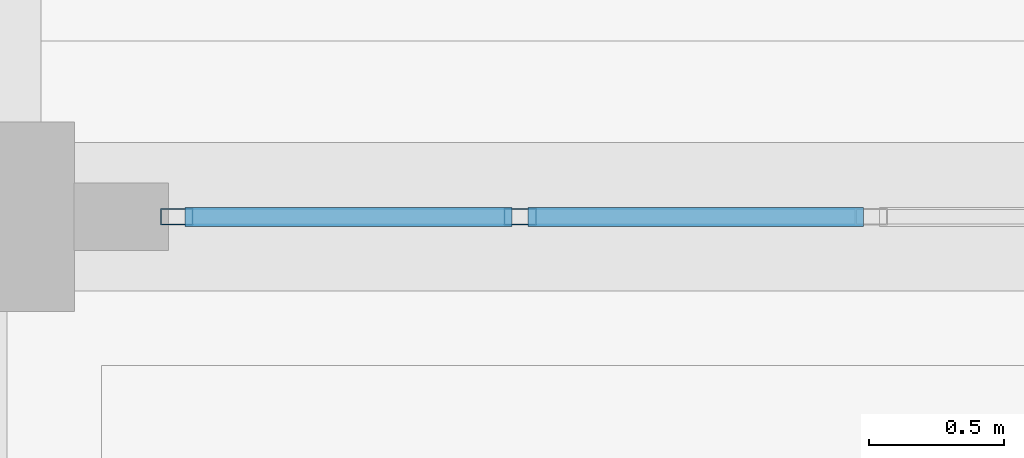
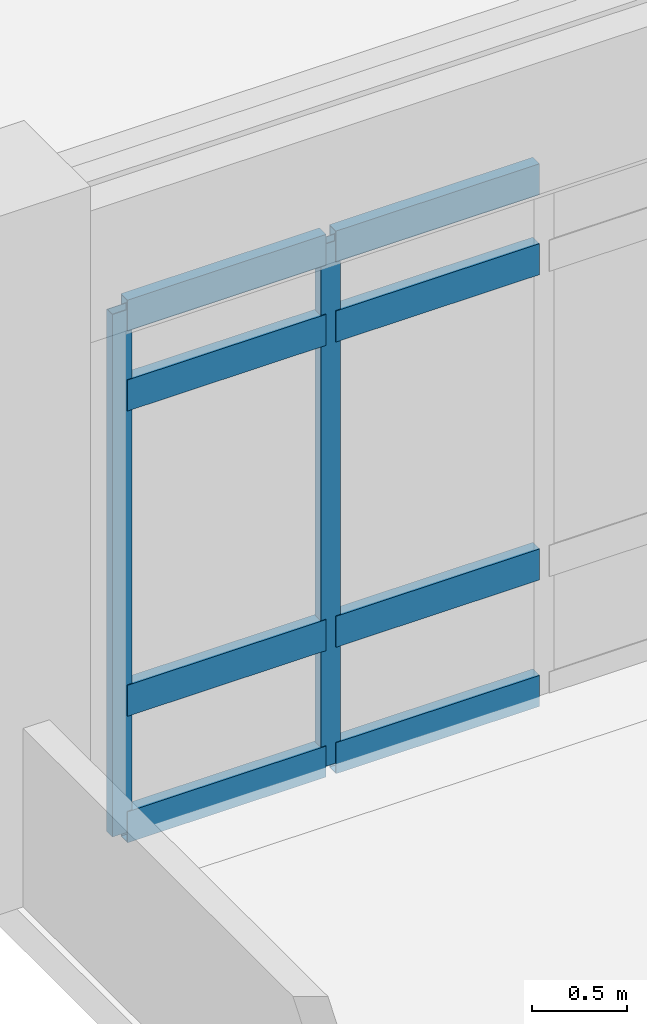
# One storey, part 52 of 109: 10 members, 1 element without a shape of its own.
"""IFC4 building model written with IfcOpenShell, lengths in metres."""

from ifc_helpers import new_model, si_unit, direction, frame, origin, origin_2d, place, context, subcontext, project, spatial, hollow_rectangle, extrude, material, layer, layer_set, material_profile, profile_set, type_object, element, aggregate, save


model = new_model("IFC4")

# Units and contexts
model_context = context("Model", 3, precision=1e-05, world=origin(), true_north=direction((0.0, 1.0)))
body_context = subcontext(model_context, "Body", "Model", "MODEL_VIEW")
ifc_project = project(units=[si_unit("LENGTHUNIT", "METRE"), si_unit("AREAUNIT", "SQUARE_METRE"), si_unit("VOLUMEUNIT", "CUBIC_METRE"), si_unit("PLANEANGLEUNIT", "RADIAN"), si_unit("MASSUNIT", "GRAM", prefix="KILO")], contexts=[model_context])

# Site, building, storey
site_placement = place(None, origin())
site = spatial("IfcSite", under=ifc_project, at=site_placement, CompositionType="ELEMENT")
building_placement = place(site_placement, origin())
building = spatial("IfcBuilding", under=site, at=building_placement, Name="Fikremerkos Civic Library", CompositionType="ELEMENT")
storey_placement = place(building_placement, frame((0.0, 0.0, 5.39990234375)))
storey = spatial("IfcBuildingStorey", under=building, at=storey_placement, Name="L01", CompositionType="ELEMENT", Elevation=5.39990234375)

# Curtain wall, members
ifc_material = material(Name="Anodized aluminium Frame", Category="aluminium")
ifc_layer = layer(ifc_material, 0.159912109375, Name="Anodized aluminium Frame")
ifc_layer_set = layer_set([ifc_layer], Name="Anodized aluminium Frame")
curtain_wall_type = type_object("IfcCurtainWallType", Name="Unitised curtain wall CW-08 4500x4100", PredefinedType="USERDEFINED", material=ifc_layer_set)
curtain_wall_placement = place(storey_placement, origin())
curtain_wall = element("IfcCurtainWall", 1, at=curtain_wall_placement, inside=storey, type_object=curtain_wall_type, Name="Unitised curtain wall CW-08 L01 #116", ObjectType="UNITISED CURTAIN WALL", PredefinedType="USERDEFINED")
ifc_material_profile_1 = material_profile(ifc_material, hollow_rectangle(XDim=0.06005859375, YDim=0.1201171875, WallThickness=0.00390625, at=origin_2d()), Name="ALU 120x60x4")
ifc_profile_set_1 = profile_set([ifc_material_profile_1], Name="Anodized aluminium Frame")
member_type_1 = type_object("IfcMemberType", Name="Curtain mullion CWM-04 ALU 120x60x4", PredefinedType="MULLION", material=ifc_profile_set_1)
member_1_placement = place(storey_placement, frame((126.898681640625, 96.0, 0.0), z_axis=(0.0, 0.0, 1.0), x_axis=(0.0, -1.0, 0.0)))
member_1 = element("IfcMember", 2, at=member_1_placement, type_object=member_type_1, Name="CW-08 mullion 3", PredefinedType="MULLION", context=body_context, shape_type="SweptSolid", body=[
    extrude(hollow_rectangle(XDim=0.06005859375, YDim=0.1201171875, WallThickness=0.00390625, at=origin_2d()), origin(), (0.0, 0.0, 1.0), 3.3671875),
])
member_2_placement = place(storey_placement, frame((125.6279296875, 96.0, 0.0), z_axis=(0.0, 0.0, 1.0), x_axis=(0.0, -1.0, 0.0)))
member_2 = element("IfcMember", 3, at=member_2_placement, type_object=member_type_1, Name="CW-08 mullion 4", PredefinedType="MULLION", context=body_context, shape_type="SweptSolid", body=[
    extrude(hollow_rectangle(XDim=0.06005859375, YDim=0.1201171875, WallThickness=0.00390625, at=origin_2d()), origin(), (0.0, 0.0, 1.0), 3.3671875),
])
ifc_material_profile_2 = material_profile(ifc_material, hollow_rectangle(XDim=0.070068359375, YDim=0.199951171875, WallThickness=0.0048828125, at=origin_2d()), Name="ALU 200x70x5")
ifc_profile_set_2 = profile_set([ifc_material_profile_2], Name="Anodized aluminium Frame")
member_type_2 = type_object("IfcMemberType", Name="Curtain transom CWT-04 ALU 200x70x5", PredefinedType="USERDEFINED", material=ifc_profile_set_2)
member_3_placement = place(storey_placement, frame((128.16943359375, 96.0, 0.03515625), z_axis=(-1.0, 0.0, 0.0), x_axis=(0.0, -1.0, 0.0)))
member_3 = element("IfcMember", 4, at=member_3_placement, type_object=member_type_2, Name="CW-08 transom 2.1", ObjectType="TRANSOM", PredefinedType="USERDEFINED", context=body_context, shape_type="SweptSolid", body=[
    extrude(hollow_rectangle(XDim=0.070068359375, YDim=0.199951171875, WallThickness=0.0048828125, at=origin_2d()), origin(), (0.0, 0.0, 1.0), 1.24072265625),
])
member_4_placement = place(storey_placement, frame((128.16943359375, 96.0, 0.85009765625), z_axis=(-1.0, 0.0, 0.0), x_axis=(0.0, -1.0, 0.0)))
member_4 = element("IfcMember", 5, at=member_4_placement, type_object=member_type_2, Name="CW-08 transom 2.2", ObjectType="TRANSOM", PredefinedType="USERDEFINED", context=body_context, shape_type="SweptSolid", body=[
    extrude(hollow_rectangle(XDim=0.070068359375, YDim=0.199951171875, WallThickness=0.0048828125, at=origin_2d()), origin(), (0.0, 0.0, 1.0), 1.24072265625),
])
member_5_placement = place(storey_placement, frame((128.16943359375, 96.0, 2.8173828125), z_axis=(-1.0, 0.0, 0.0), x_axis=(0.0, -1.0, 0.0)))
member_5 = element("IfcMember", 6, at=member_5_placement, type_object=member_type_2, Name="CW-08 transom 2.3", ObjectType="TRANSOM", PredefinedType="USERDEFINED", context=body_context, shape_type="SweptSolid", body=[
    extrude(hollow_rectangle(XDim=0.070068359375, YDim=0.199951171875, WallThickness=0.0048828125, at=origin_2d()), origin(), (0.0, 0.0, 1.0), 1.24072265625),
])
member_6_placement = place(storey_placement, frame((128.16943359375, 96.0, 3.332275390625), z_axis=(-1.0, 0.0, 0.0), x_axis=(0.0, -1.0, 0.0)))
member_6 = element("IfcMember", 7, at=member_6_placement, type_object=member_type_2, Name="CW-08 transom 2.4", ObjectType="TRANSOM", PredefinedType="USERDEFINED", context=body_context, shape_type="SweptSolid", body=[
    extrude(hollow_rectangle(XDim=0.070068359375, YDim=0.199951171875, WallThickness=0.0048828125, at=origin_2d()), origin(), (0.0, 0.0, 1.0), 1.24072265625),
])
member_7_placement = place(storey_placement, frame((126.86865234375, 96.0, 0.03515625), z_axis=(-1.0, 0.0, 0.0), x_axis=(0.0, -1.0, 0.0)))
member_7 = element("IfcMember", 8, at=member_7_placement, type_object=member_type_2, Name="CW-08 transom 3.1", ObjectType="TRANSOM", PredefinedType="USERDEFINED", context=body_context, shape_type="SweptSolid", body=[
    extrude(hollow_rectangle(XDim=0.070068359375, YDim=0.199951171875, WallThickness=0.0048828125, at=origin_2d()), origin(), (0.0, 0.0, 1.0), 1.210693359375),
])
member_8_placement = place(storey_placement, frame((126.86865234375, 96.0, 0.85009765625), z_axis=(-1.0, 0.0, 0.0), x_axis=(0.0, -1.0, 0.0)))
member_8 = element("IfcMember", 9, at=member_8_placement, type_object=member_type_2, Name="CW-08 transom 3.2", ObjectType="TRANSOM", PredefinedType="USERDEFINED", context=body_context, shape_type="SweptSolid", body=[
    extrude(hollow_rectangle(XDim=0.070068359375, YDim=0.199951171875, WallThickness=0.0048828125, at=origin_2d()), origin(), (0.0, 0.0, 1.0), 1.210693359375),
])
member_9_placement = place(storey_placement, frame((126.86865234375, 96.0, 2.8173828125), z_axis=(-1.0, 0.0, 0.0), x_axis=(0.0, -1.0, 0.0)))
member_9 = element("IfcMember", 10, at=member_9_placement, type_object=member_type_2, Name="CW-08 transom 3.3", ObjectType="TRANSOM", PredefinedType="USERDEFINED", context=body_context, shape_type="SweptSolid", body=[
    extrude(hollow_rectangle(XDim=0.070068359375, YDim=0.199951171875, WallThickness=0.0048828125, at=origin_2d()), origin(), (0.0, 0.0, 1.0), 1.210693359375),
])
member_10_placement = place(storey_placement, frame((126.86865234375, 96.0, 3.332275390625), z_axis=(-1.0, 0.0, 0.0), x_axis=(0.0, -1.0, 0.0)))
member_10 = element("IfcMember", 11, at=member_10_placement, type_object=member_type_2, Name="CW-08 transom 3.4", ObjectType="TRANSOM", PredefinedType="USERDEFINED", context=body_context, shape_type="SweptSolid", body=[
    extrude(hollow_rectangle(XDim=0.070068359375, YDim=0.199951171875, WallThickness=0.0048828125, at=origin_2d()), origin(), (0.0, 0.0, 1.0), 1.210693359375),
])
aggregate(curtain_wall, [member_1, member_2, member_3, member_4, member_5, member_6, member_7, member_8, member_9, member_10])

save(model, "model.ifc")
